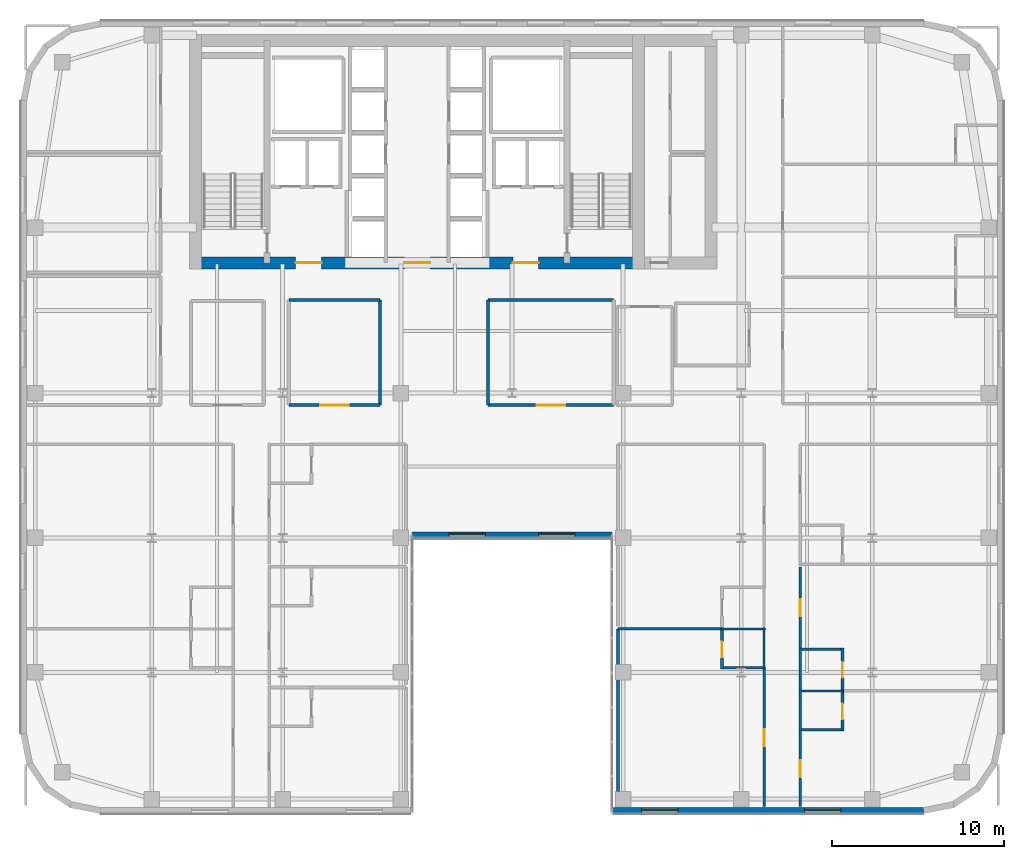
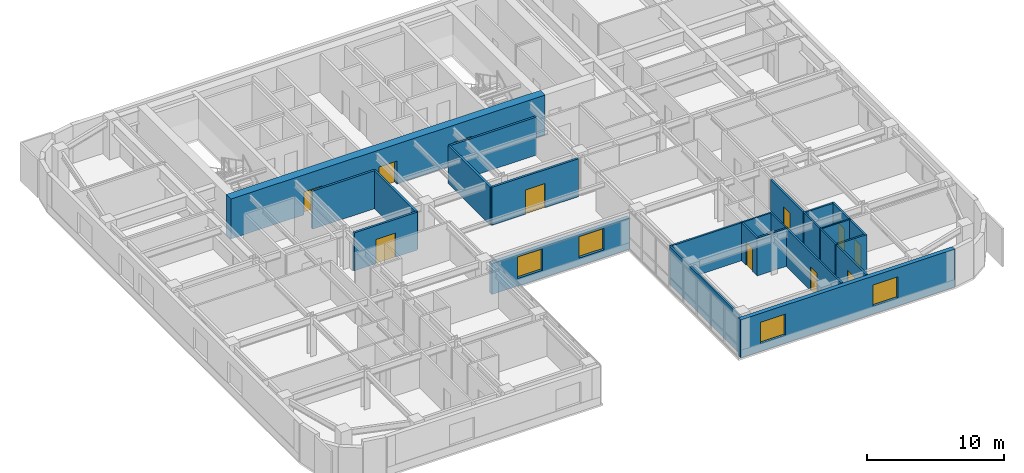
# One storey, part 15 of 24: 25 walls, 11 doors, 4 windows, 15 openings.
"""IFC4 building model written with IfcOpenShell, lengths in metres."""

from ifc_helpers import new_model, si_unit, direction, frame, frame_2d, origin, place, context, subcontext, project, spatial, rectangle, extrude, source, transform, mapped, material, layer, layer_set, type_object, type_shapes, element, fill, save


model = new_model("IFC4")

# Units and contexts
model_context = context("Model", 3, precision=1e-05, world=origin(), true_north=direction((0.0, 1.0)))
body_context = subcontext(model_context, "Body", "Model", "MODEL_VIEW")
ifc_project = project(units=[si_unit("LENGTHUNIT", "METRE"), si_unit("AREAUNIT", "SQUARE_METRE"), si_unit("VOLUMEUNIT", "CUBIC_METRE"), si_unit("PLANEANGLEUNIT", "RADIAN"), si_unit("MASSUNIT", "GRAM", prefix="KILO")], contexts=[model_context])

# Site, building, storey
site_placement = place(None, origin())
site = spatial("IfcSite", under=ifc_project, at=site_placement, CompositionType="ELEMENT")
building_placement = place(site_placement, origin())
building = spatial("IfcBuilding", under=site, at=building_placement, Name="Tolvann Quenvar Hotel", CompositionType="ELEMENT")
storey_placement = place(building_placement, frame((0.0, 0.0, 139.949951171875)))
storey = spatial("IfcBuildingStorey", under=building, at=storey_placement, Name="L36", CompositionType="ELEMENT", Elevation=139.949951171875)

# Wall, openings, doors
ifc_material_1 = material(Name="Concrete S65 (65 MPa)", Category="concrete")
ifc_layer_1 = layer(ifc_material_1, 0.699951171875)
ifc_layer_set_1 = layer_set([ifc_layer_1], Name="Concrete S65 (65 MPa)")
wall_type_1 = type_object("IfcWallType", Name="WALL_CORE_700", PredefinedType="SHEAR", material=ifc_layer_set_1)
wall_1_placement = place(storey_placement, frame((9.800048828125, 31.949951171875, 0.0), z_axis=(0.0, 0.0, 1.0), x_axis=(1.0, 0.0, 0.0)))
wall_1 = element("IfcWall", 1, at=wall_1_placement, inside=storey, type_object=wall_type_1, Name="Rear Core S Shear Wall (L36)", PredefinedType="SHEAR", context=body_context, shape_type="SweptSolid", body=[
    extrude(rectangle(XDim=26.39990234375, YDim=0.699951171875, at=frame_2d((13.199951171875, 0.0))), origin(), (0.0, 0.0, 1.0), 3.550048828125),
])
opening_1_placement = place(wall_1_placement, frame((7.64990234375, 0.0, 0.0), z_axis=(0.0, 0.0, 1.0), x_axis=(-1.0, 0.0, 0.0)))
opening_1 = element("IfcOpeningElement", 2, at=opening_1_placement, cuts=wall_1, Name="Opening FD-60D", PredefinedType="OPENING", context=body_context, shape_type="SweptSolid", body=[
    extrude(rectangle(XDim=1.5, YDim=2.0400390625, at=frame_2d((0.75, 1.02001953125))), frame((0.0, 0.35986328125, 0.0), z_axis=(0.0, -1.0, 0.0), x_axis=(1.0, 0.0, 0.0)), (0.0, 0.0, 1.0), 0.719970703125),
])
opening_2_placement = place(wall_1_placement, frame((13.949951171875, 0.0, 0.0), z_axis=(0.0, 0.0, 1.0), x_axis=(-1.0, 0.0, 0.0)))
opening_2 = element("IfcOpeningElement", 3, at=opening_2_placement, cuts=wall_1, Name="Opening FD-60D", PredefinedType="OPENING", context=body_context, shape_type="SweptSolid", body=[
    extrude(rectangle(XDim=1.5, YDim=2.0400390625, at=frame_2d((0.75, 1.02001953125))), frame((0.0, 0.35986328125, 0.0), z_axis=(0.0, -1.0, 0.0), x_axis=(1.0, 0.0, 0.0)), (0.0, 0.0, 1.0), 0.719970703125),
])
opening_3_placement = place(wall_1_placement, frame((20.25, 0.0, 0.0), z_axis=(0.0, 0.0, 1.0), x_axis=(-1.0, 0.0, 0.0)))
opening_3 = element("IfcOpeningElement", 4, at=opening_3_placement, cuts=wall_1, Name="Opening FD-60D", PredefinedType="OPENING", context=body_context, shape_type="SweptSolid", body=[
    extrude(rectangle(XDim=1.5, YDim=2.0400390625, at=frame_2d((0.75, 1.02001953125))), frame((0.0, 0.35986328125, 0.0), z_axis=(0.0, -1.0, 0.0), x_axis=(1.0, 0.0, 0.0)), (0.0, 0.0, 1.0), 0.719970703125),
])
ifc_material_2 = material(Name="Solid-core American oak acoustic fire door leaf in steel frame", Category="steel")
door_type_1 = type_object("IfcDoorType", Name="DOOR_FIRE_LOBBY_1500", OperationType="NOTDEFINED", PredefinedType="DOOR", material=ifc_material_2)
shared_shape_1 = source(origin(), body_context, "Body", "SweptSolid", [
    extrude(rectangle(XDim=1.5, YDim=2.0400390625, at=frame_2d((0.75, 1.02001953125))), frame((0.0, 0.02490234375, 0.0), z_axis=(0.0, -1.0, 0.0), x_axis=(1.0, 0.0, 0.0)), (0.0, 0.0, 1.0), 0.050048828125),
])
type_shapes(door_type_1, [shared_shape_1])
door_1_placement = place(opening_1_placement, origin())
door_1 = element("IfcDoor", 5, at=door_1_placement, inside=storey, type_object=door_type_1, Name="Core Lobby Fire Door FFW (L36)", OperationType="DOUBLE_DOOR_SINGLE_SWING", OverallHeight=2.0400390625, OverallWidth=1.5, PredefinedType="DOOR", context=body_context, shape_type="MappedRepresentation", body=[
    mapped(shared_shape_1, transform((0.0, 0.0, 0.0), x_axis=(1.0, 0.0, 0.0), y_axis=(0.0, 1.0, 0.0), z_axis=(0.0, 0.0, 1.0), scale=1.0)),
])
fill(opening_1, door_1)
door_2_placement = place(opening_2_placement, origin())
door_2 = element("IfcDoor", 6, at=door_2_placement, inside=storey, type_object=door_type_1, Name="Core Lobby Fire Door CLOB (L36)", OperationType="DOUBLE_DOOR_SINGLE_SWING", OverallHeight=2.0400390625, OverallWidth=1.5, PredefinedType="DOOR", context=body_context, shape_type="MappedRepresentation", body=[
    mapped(shared_shape_1, transform((0.0, 0.0, 0.0), x_axis=(1.0, 0.0, 0.0), y_axis=(0.0, 1.0, 0.0), z_axis=(0.0, 0.0, 1.0), scale=1.0)),
])
fill(opening_2, door_2)
door_3_placement = place(opening_3_placement, origin())
door_3 = element("IfcDoor", 7, at=door_3_placement, inside=storey, type_object=door_type_1, Name="Core Lobby Fire Door FFE (L36)", OperationType="DOUBLE_DOOR_SINGLE_SWING", OverallHeight=2.0400390625, OverallWidth=1.5, PredefinedType="DOOR", context=body_context, shape_type="MappedRepresentation", body=[
    mapped(shared_shape_1, transform((0.0, 0.0, 0.0), x_axis=(1.0, 0.0, 0.0), y_axis=(0.0, 1.0, 0.0), z_axis=(0.0, 0.0, 1.0), scale=1.0)),
])
fill(opening_3, door_3)

# Wall, openings, windows
ifc_material_3 = material(Name="Kiln-fired red and buff architectural clay brickwork and terracotta masonry", Category="masonry")
ifc_layer_2 = layer(ifc_material_3, 0.35009765625)
ifc_layer_set_2 = layer_set([ifc_layer_2], Name="Kiln-fired red and buff architectural clay brickwork and terracotta masonry")
wall_type_2 = type_object("IfcWallType", Name="WALL_EXT_BRICK_350", PredefinedType="SOLIDWALL", material=ifc_layer_set_2)
wall_2_placement = place(storey_placement, frame((22.7099609375, 16.175048828125, 0.0), z_axis=(0.0, 0.0, 1.0), x_axis=(1.0, 0.0, 0.0)))
wall_2 = element("IfcWall", 8, at=wall_2_placement, inside=storey, type_object=wall_type_2, Name="Exterior Chicago Brick Wall L36-E06", PredefinedType="SOLIDWALL", context=body_context, shape_type="SweptSolid", body=[
    extrude(rectangle(XDim=11.580078125, YDim=0.35009765625, at=frame_2d((5.7900390625, 0.0))), origin(), (0.0, 0.0, 1.0), 2.748046875),
])
opening_4_placement = place(wall_2_placement, frame((2.14501953125, 0.0, 0.679931640625)))
opening_4 = element("IfcOpeningElement", 9, at=opening_4_placement, cuts=wall_2, Name="Opening W-02", PredefinedType="OPENING", context=body_context, shape_type="SweptSolid", body=[
    extrude(rectangle(XDim=2.10009765625, YDim=1.89990234375, at=frame_2d((1.050048828125, 0.949951171875))), frame((0.0, 0.18505859375, 0.0), z_axis=(0.0, -1.0, 0.0), x_axis=(1.0, 0.0, 0.0)), (0.0, 0.0, 1.0), 0.3701171875),
])
opening_5_placement = place(wall_2_placement, frame((7.3349609375, 0.0, 0.679931640625)))
opening_5 = element("IfcOpeningElement", 10, at=opening_5_placement, cuts=wall_2, Name="Opening W-02", PredefinedType="OPENING", context=body_context, shape_type="SweptSolid", body=[
    extrude(rectangle(XDim=2.10009765625, YDim=1.89990234375, at=frame_2d((1.050048828125, 0.949951171875))), frame((0.0, 0.18505859375, 0.0), z_axis=(0.0, -1.0, 0.0), x_axis=(1.0, 0.0, 0.0)), (0.0, 0.0, 1.0), 0.3701171875),
])
ifc_material_4 = material(Name="Thermally broken bronze-anodised aluminium frame with double low-E glazing", Category="aluminium")
window_type = type_object("IfcWindowType", Name="WIN_CHI_2100x2050", PartitioningType="TRIPLE_PANEL_HORIZONTAL", PredefinedType="WINDOW", material=ifc_material_4)
shared_shape_2 = source(origin(), body_context, "Body", "SweptSolid", [
    extrude(rectangle(XDim=2.10009765625, YDim=1.89990234375, at=frame_2d((1.050048828125, 0.949951171875))), frame((0.0, 0.090087890625, 0.0), z_axis=(0.0, -1.0, 0.0), x_axis=(1.0, 0.0, 0.0)), (0.0, 0.0, 1.0), 0.06005859375),
])
type_shapes(window_type, [shared_shape_2])
window_1_placement = place(opening_4_placement, origin())
window_1 = element("IfcWindow", 11, at=window_1_placement, inside=storey, type_object=window_type, Name="Chicago Window W-02 (EW-L36-E06-W01)", OverallHeight=1.89990234375, OverallWidth=2.10009765625, PartitioningType="TRIPLE_PANEL_HORIZONTAL", PredefinedType="WINDOW", context=body_context, shape_type="MappedRepresentation", body=[
    mapped(shared_shape_2, transform((0.0, 0.0, 0.0), x_axis=(1.0, 0.0, 0.0), y_axis=(0.0, 1.0, 0.0), z_axis=(0.0, 0.0, 1.0), scale=1.0)),
])
fill(opening_4, window_1)
window_2_placement = place(opening_5_placement, origin())
window_2 = element("IfcWindow", 12, at=window_2_placement, inside=storey, type_object=window_type, Name="Chicago Window W-02 (EW-L36-E06-W02)", OverallHeight=1.89990234375, OverallWidth=2.10009765625, PartitioningType="TRIPLE_PANEL_HORIZONTAL", PredefinedType="WINDOW", context=body_context, shape_type="MappedRepresentation", body=[
    mapped(shared_shape_2, transform((0.0, 0.0, 0.0), x_axis=(1.0, 0.0, 0.0), y_axis=(0.0, 1.0, 0.0), z_axis=(0.0, 0.0, 1.0), scale=1.0)),
])
fill(opening_5, window_2)

wall_3_placement = place(storey_placement, frame((34.375, 0.175048828125, 0.0), z_axis=(0.0, 0.0, 1.0), x_axis=(1.0, 0.0, 0.0)))
wall_3 = element("IfcWall", 13, at=wall_3_placement, inside=storey, type_object=wall_type_2, Name="Exterior Chicago Brick Wall L36-E08", PredefinedType="SOLIDWALL", context=body_context, shape_type="SweptSolid", body=[
    extrude(rectangle(XDim=18.0078125, YDim=0.35009765625, at=frame_2d((9.00390625, 0.0))), origin(), (0.0, 0.0, 1.0), 3.3701171875),
])
opening_6_placement = place(wall_3_placement, frame((1.65087890625, 0.0, 0.679931640625)))
opening_6 = element("IfcOpeningElement", 14, at=opening_6_placement, cuts=wall_3, Name="Opening W-02", PredefinedType="OPENING", context=body_context, shape_type="SweptSolid", body=[
    extrude(rectangle(XDim=2.10009765625, YDim=1.89990234375, at=frame_2d((1.050048828125, 0.949951171875))), frame((0.0, 0.18505859375, 0.0), z_axis=(0.0, -1.0, 0.0), x_axis=(1.0, 0.0, 0.0)), (0.0, 0.0, 1.0), 0.3701171875),
])
opening_7_placement = place(wall_3_placement, frame((11.10498046875, 0.0, 0.679931640625)))
opening_7 = element("IfcOpeningElement", 15, at=opening_7_placement, cuts=wall_3, Name="Opening W-02", PredefinedType="OPENING", context=body_context, shape_type="SweptSolid", body=[
    extrude(rectangle(XDim=2.10009765625, YDim=1.89990234375, at=frame_2d((1.050048828125, 0.949951171875))), frame((0.0, 0.18505859375, 0.0), z_axis=(0.0, -1.0, 0.0), x_axis=(1.0, 0.0, 0.0)), (0.0, 0.0, 1.0), 0.3701171875),
])
window_3_placement = place(opening_6_placement, origin())
window_3 = element("IfcWindow", 16, at=window_3_placement, inside=storey, type_object=window_type, Name="Chicago Window W-02 (EW-L36-E08-W01)", OverallHeight=1.89990234375, OverallWidth=2.10009765625, PartitioningType="TRIPLE_PANEL_HORIZONTAL", PredefinedType="WINDOW", context=body_context, shape_type="MappedRepresentation", body=[
    mapped(shared_shape_2, transform((0.0, 0.0, 0.0), x_axis=(1.0, 0.0, 0.0), y_axis=(0.0, 1.0, 0.0), z_axis=(0.0, 0.0, 1.0), scale=1.0)),
])
fill(opening_6, window_3)
window_4_placement = place(opening_7_placement, origin())
window_4 = element("IfcWindow", 17, at=window_4_placement, inside=storey, type_object=window_type, Name="Chicago Window W-02 (EW-L36-E08-W02)", OverallHeight=1.89990234375, OverallWidth=2.10009765625, PartitioningType="TRIPLE_PANEL_HORIZONTAL", PredefinedType="WINDOW", context=body_context, shape_type="MappedRepresentation", body=[
    mapped(shared_shape_2, transform((0.0, 0.0, 0.0), x_axis=(1.0, 0.0, 0.0), y_axis=(0.0, 1.0, 0.0), z_axis=(0.0, 0.0, 1.0), scale=1.0)),
])
fill(opening_7, window_4)

# Wall, opening, door
ifc_material_5 = material(Name="Acoustic twin-stud fire-rated gypsum plasterboard partition")
ifc_layer_3 = layer(ifc_material_5, 0.179931640625)
ifc_layer_set_3 = layer_set([ifc_layer_3], Name="Acoustic twin-stud fire-rated gypsum plasterboard partition")
wall_type_3 = type_object("IfcWallType", Name="WALL_PART_ACOUSTIC_180", PredefinedType="PARTITIONING", material=ifc_layer_set_3)
wall_4_placement = place(storey_placement, frame((27.10009765625, 23.699951171875, 0.0), z_axis=(0.0, 0.0, 1.0), x_axis=(1.0, 0.0, 0.0)))
wall_4 = element("IfcWall", 18, at=wall_4_placement, inside=storey, type_object=wall_type_3, Name="Interior Partition PT-SPC-L36-MSP-C-S", PredefinedType="PARTITIONING", context=body_context, shape_type="SweptSolid", body=[
    extrude(rectangle(XDim=7.2998046875, YDim=0.179931640625, at=frame_2d((3.64990234375, 0.0))), origin(), (0.0, 0.0, 1.0), 3.3701171875),
])
opening_8_placement = place(wall_4_placement, frame((2.824951171875, 0.0, 0.0)))
opening_8 = element("IfcOpeningElement", 19, at=opening_8_placement, cuts=wall_4, Name="Opening AD-01", PredefinedType="OPENING", context=body_context, shape_type="SweptSolid", body=[
    extrude(rectangle(XDim=1.64990234375, YDim=2.14990234375, at=frame_2d((0.824951171875, 1.074951171875))), frame((0.0, 0.10009765625, 0.0), z_axis=(0.0, -1.0, 0.0), x_axis=(1.0, 0.0, 0.0)), (0.0, 0.0, 1.0), 0.199951171875),
])
door_type_2 = type_object("IfcDoorType", Name="DOOR_SALON_1650", OperationType="NOTDEFINED", PredefinedType="DOOR", material=ifc_material_2)
shared_shape_3 = source(origin(), body_context, "Body", "SweptSolid", [
    extrude(rectangle(XDim=1.64990234375, YDim=2.14990234375, at=frame_2d((0.824951171875, 1.074951171875))), frame((0.0, 0.02490234375, 0.0), z_axis=(0.0, -1.0, 0.0), x_axis=(1.0, 0.0, 0.0)), (0.0, 0.0, 1.0), 0.050048828125),
])
type_shapes(door_type_2, [shared_shape_3])
door_4_placement = place(opening_8_placement, origin())
door_4 = element("IfcDoor", 20, at=door_4_placement, inside=storey, type_object=door_type_2, Name="Interior Door DOOR-SPC-L36-MSP-C", OperationType="DOUBLE_DOOR_SINGLE_SWING", OverallHeight=2.14990234375, OverallWidth=1.64990234375, PredefinedType="DOOR", context=body_context, shape_type="MappedRepresentation", body=[
    mapped(shared_shape_3, transform((0.0, 0.0, 0.0), x_axis=(1.0, 0.0, 0.0), y_axis=(0.0, 1.0, 0.0), z_axis=(0.0, 0.0, 1.0), scale=1.0)),
])
fill(opening_8, door_4)

# Walls
wall_5_placement = place(storey_placement, frame((27.10009765625, 29.800048828125, 0.0), z_axis=(0.0, 0.0, 1.0), x_axis=(1.0, 0.0, 0.0)))
element("IfcWall", 21, at=wall_5_placement, inside=storey, type_object=wall_type_3, Name="Interior Partition PT-SPC-L36-MSP-C-N", PredefinedType="PARTITIONING", context=body_context, shape_type="SweptSolid", body=[
    extrude(rectangle(XDim=7.2998046875, YDim=0.179931640625, at=frame_2d((3.64990234375, 0.0))), origin(), (0.0, 0.0, 1.0), 3.3701171875),
])
wall_6_placement = place(storey_placement, frame((27.10009765625, 23.699951171875, 0.0), z_axis=(0.0, 0.0, 1.0), x_axis=(0.0, 1.0, 0.0)))
element("IfcWall", 22, at=wall_6_placement, inside=storey, type_object=wall_type_3, Name="Interior Partition PT-SPC-L36-MSP-C-W", PredefinedType="PARTITIONING", context=body_context, shape_type="SweptSolid", body=[
    extrude(rectangle(XDim=6.10009765625, YDim=0.179931640625, at=frame_2d((3.050048828125, 0.0))), origin(), (0.0, 0.0, 1.0), 3.3701171875),
])

# Wall, opening, door
wall_7_placement = place(storey_placement, frame((15.550048828125, 23.699951171875, 0.0), z_axis=(0.0, 0.0, 1.0), x_axis=(1.0, 0.0, 0.0)))
wall_7 = element("IfcWall", 23, at=wall_7_placement, inside=storey, type_object=wall_type_3, Name="Interior Partition PT-SPC-L36-MSP-N-S", PredefinedType="PARTITIONING", context=body_context, shape_type="SweptSolid", body=[
    extrude(rectangle(XDim=5.300048828125, YDim=0.179931640625, at=frame_2d((2.64990234375, 0.0))), origin(), (0.0, 0.0, 1.0), 3.3701171875),
])
opening_9_placement = place(wall_7_placement, frame((1.824951171875, 0.0, 0.0)))
opening_9 = element("IfcOpeningElement", 24, at=opening_9_placement, cuts=wall_7, Name="Opening AD-01", PredefinedType="OPENING", context=body_context, shape_type="SweptSolid", body=[
    extrude(rectangle(XDim=1.64990234375, YDim=2.14990234375, at=frame_2d((0.824951171875, 1.074951171875))), frame((0.0, 0.10009765625, 0.0), z_axis=(0.0, -1.0, 0.0), x_axis=(1.0, 0.0, 0.0)), (0.0, 0.0, 1.0), 0.199951171875),
])
door_5_placement = place(opening_9_placement, origin())
door_5 = element("IfcDoor", 25, at=door_5_placement, inside=storey, type_object=door_type_2, Name="Interior Door DOOR-SPC-L36-MSP-N", OperationType="DOUBLE_DOOR_SINGLE_SWING", OverallHeight=2.14990234375, OverallWidth=1.64990234375, PredefinedType="DOOR", context=body_context, shape_type="MappedRepresentation", body=[
    mapped(shared_shape_3, transform((0.0, 0.0, 0.0), x_axis=(1.0, 0.0, 0.0), y_axis=(0.0, 1.0, 0.0), z_axis=(0.0, 0.0, 1.0), scale=1.0)),
])
fill(opening_9, door_5)

# Walls
wall_8_placement = place(storey_placement, frame((15.550048828125, 29.800048828125, 0.0), z_axis=(0.0, 0.0, 1.0), x_axis=(1.0, 0.0, 0.0)))
element("IfcWall", 26, at=wall_8_placement, inside=storey, type_object=wall_type_3, Name="Interior Partition PT-SPC-L36-MSP-N-N", PredefinedType="PARTITIONING", context=body_context, shape_type="SweptSolid", body=[
    extrude(rectangle(XDim=5.300048828125, YDim=0.179931640625, at=frame_2d((2.64990234375, 0.0))), origin(), (0.0, 0.0, 1.0), 3.3701171875),
])
wall_9_placement = place(storey_placement, frame((20.85009765625, 23.699951171875, 0.0), z_axis=(0.0, 0.0, 1.0), x_axis=(0.0, 1.0, 0.0)))
element("IfcWall", 27, at=wall_9_placement, inside=storey, type_object=wall_type_3, Name="Interior Partition PT-SPC-L36-MSP-N-E", PredefinedType="PARTITIONING", context=body_context, shape_type="SweptSolid", body=[
    extrude(rectangle(XDim=6.10009765625, YDim=0.179931640625, at=frame_2d((3.050048828125, 0.0))), origin(), (0.0, 0.0, 1.0), 3.3701171875),
])
ifc_material_6 = material(Name="Moisture-resistant acoustic plumbing wall assembly")
ifc_layer_4 = layer(ifc_material_6, 0.1201171875)
ifc_layer_set_4 = layer_set([ifc_layer_4], Name="Moisture-resistant acoustic plumbing wall assembly")
wall_type_4 = type_object("IfcWallType", Name="WALL_PART_BATH_120", PredefinedType="PLUMBINGWALL", material=ifc_layer_set_4)
wall_10_placement = place(storey_placement, frame((40.610107421875, 10.719970703125, 0.0), z_axis=(0.0, 0.0, 1.0), x_axis=(1.0, 0.0, 0.0)))
element("IfcWall", 28, at=wall_10_placement, inside=storey, type_object=wall_type_4, Name="Non-Rated Plumbing Partition PT-SPC-L36-ENS-EI01-N", PredefinedType="PLUMBINGWALL", context=body_context, shape_type="SweptSolid", body=[
    extrude(rectangle(XDim=2.58984375, YDim=0.1201171875, at=frame_2d((1.294921875, 0.0))), origin(), (0.0, 0.0, 1.0), 3.3701171875),
])
wall_11_placement = place(storey_placement, frame((43.1298828125, 8.39990234375, 0.0), z_axis=(0.0, 0.0, 1.0), x_axis=(0.0, 1.0, 0.0)))
element("IfcWall", 29, at=wall_11_placement, inside=storey, type_object=wall_type_4, Name="Non-Rated Plumbing Partition PT-SPC-L36-ENS-EI01-E", PredefinedType="PLUMBINGWALL", context=body_context, shape_type="SweptSolid", body=[
    extrude(rectangle(XDim=2.39013671875, YDim=0.1201171875, at=frame_2d((1.195068359375, 0.0))), origin(), (0.0, 0.0, 1.0), 3.3701171875),
])
wall_12_placement = place(storey_placement, frame((45.14990234375, 7.1201171875, 0.0), z_axis=(0.0, 0.0, 1.0), x_axis=(1.0, 0.0, 0.0)))
element("IfcWall", 30, at=wall_12_placement, inside=storey, type_object=wall_type_4, Name="Non-Rated Plumbing Partition PT-SPC-L36-ENS-EO01-N", PredefinedType="PLUMBINGWALL", context=body_context, shape_type="SweptSolid", body=[
    extrude(rectangle(XDim=2.590087890625, YDim=0.1201171875, at=frame_2d((1.294921875, 0.0))), origin(), (0.0, 0.0, 1.0), 3.3701171875),
])
wall_13_placement = place(storey_placement, frame((45.219970703125, 4.800048828125, 0.0), z_axis=(0.0, 0.0, 1.0), x_axis=(0.0, 1.0, 0.0)))
element("IfcWall", 31, at=wall_13_placement, inside=storey, type_object=wall_type_4, Name="Non-Rated Plumbing Partition PT-SPC-L36-ENS-EO01-W", PredefinedType="PLUMBINGWALL", context=body_context, shape_type="SweptSolid", body=[
    extrude(rectangle(XDim=2.389892578125, YDim=0.1201171875, at=frame_2d((1.19482421875, 0.0))), origin(), (0.0, 0.0, 1.0), 3.3701171875),
])
wall_14_placement = place(storey_placement, frame((45.219970703125, 7.2099609375, 0.0), z_axis=(0.0, 0.0, 1.0), x_axis=(0.0, 1.0, 0.0)))
element("IfcWall", 32, at=wall_14_placement, inside=storey, type_object=wall_type_4, Name="Non-Rated Plumbing Partition PT-SPC-L36-ENS-EO02-W", PredefinedType="PLUMBINGWALL", context=body_context, shape_type="SweptSolid", body=[
    extrude(rectangle(XDim=2.39013671875, YDim=0.1201171875, at=frame_2d((1.195068359375, 0.0))), origin(), (0.0, 0.0, 1.0), 3.3701171875),
])

# Wall, opening, door
ifc_layer_5 = layer(ifc_material_5, 0.14990234375)
ifc_layer_set_5 = layer_set([ifc_layer_5], Name="Acoustic twin-stud fire-rated gypsum plasterboard partition")
wall_type_5 = type_object("IfcWallType", Name="WALL_PART_SUITE_150", PredefinedType="PARTITIONING", material=ifc_layer_set_5)
wall_15_placement = place(storey_placement, frame((40.679931640625, 8.39990234375, 0.0), z_axis=(0.0, 0.0, 1.0), x_axis=(0.0, 1.0, 0.0)))
wall_15 = element("IfcWall", 33, at=wall_15_placement, inside=storey, type_object=wall_type_5, Name="Interior Partition PT-SPC-L36-ENS-EI01-ENT", PredefinedType="PARTITIONING", context=body_context, shape_type="SweptSolid", body=[
    extrude(rectangle(XDim=2.39013671875, YDim=0.14990234375, at=frame_2d((1.195068359375, 0.0))), origin(), (0.0, 0.0, 1.0), 3.3701171875),
])
opening_10_placement = place(wall_15_placement, frame((0.6650390625, 0.0, 0.0)))
opening_10 = element("IfcOpeningElement", 34, at=opening_10_placement, cuts=wall_15, Name="Opening WD-01", PredefinedType="OPENING", context=body_context, shape_type="SweptSolid", body=[
    extrude(rectangle(XDim=0.919921875, YDim=2.010009765625, at=frame_2d((0.4599609375, 1.0048828125))), frame((0.0, 0.0849609375, 0.0), z_axis=(0.0, -1.0, 0.0), x_axis=(1.0, 0.0, 0.0)), (0.0, 0.0, 1.0), 0.169921875),
])
door_type_3 = type_object("IfcDoorType", Name="DOOR_WC_920", OperationType="NOTDEFINED", PredefinedType="DOOR", material=ifc_material_2)
shared_shape_4 = source(origin(), body_context, "Body", "SweptSolid", [
    extrude(rectangle(XDim=0.919921875, YDim=2.010009765625, at=frame_2d((0.4599609375, 1.0048828125))), frame((0.0, 0.02490234375, 0.0), z_axis=(0.0, -1.0, 0.0), x_axis=(1.0, 0.0, 0.0)), (0.0, 0.0, 1.0), 0.050048828125),
])
type_shapes(door_type_3, [shared_shape_4])
door_6_placement = place(opening_10_placement, origin())
door_6 = element("IfcDoor", 35, at=door_6_placement, inside=storey, type_object=door_type_3, Name="Interior Door DOOR-SPC-L36-ENS-EI01", OperationType="SINGLE_SWING_LEFT", OverallHeight=2.010009765625, OverallWidth=0.919921875, PredefinedType="DOOR", context=body_context, shape_type="MappedRepresentation", body=[
    mapped(shared_shape_4, transform((0.0, 0.0, 0.0), x_axis=(1.0, 0.0, 0.0), y_axis=(0.0, 1.0, 0.0), z_axis=(0.0, 0.0, 1.0), scale=1.0)),
])
fill(opening_10, door_6)

# Wall
wall_16_placement = place(storey_placement, frame((40.610107421875, 8.469970703125, 0.0), z_axis=(0.0, 0.0, 1.0), x_axis=(1.0, 0.0, 0.0)))
element("IfcWall", 36, at=wall_16_placement, inside=storey, type_object=wall_type_5, Name="Interior Partition PT-SPC-L36-ENS-EI01-S", PredefinedType="PARTITIONING", context=body_context, shape_type="SweptSolid", body=[
    extrude(rectangle(XDim=2.58984375, YDim=0.14990234375, at=frame_2d((1.294921875, 0.0))), origin(), (0.0, 0.0, 1.0), 3.3701171875),
])

# Wall, opening, door
wall_17_placement = place(storey_placement, frame((47.669921875, 4.800048828125, 0.0), z_axis=(0.0, 0.0, 1.0), x_axis=(0.0, 1.0, 0.0)))
wall_17 = element("IfcWall", 37, at=wall_17_placement, inside=storey, type_object=wall_type_5, Name="Interior Partition PT-SPC-L36-ENS-EO01-ENT", PredefinedType="PARTITIONING", context=body_context, shape_type="SweptSolid", body=[
    extrude(rectangle(XDim=2.389892578125, YDim=0.14990234375, at=frame_2d((1.19482421875, 0.0))), origin(), (0.0, 0.0, 1.0), 3.3701171875),
])
opening_11_placement = place(wall_17_placement, frame((0.6650390625, 0.0, 0.0)))
opening_11 = element("IfcOpeningElement", 38, at=opening_11_placement, cuts=wall_17, Name="Opening WD-01", PredefinedType="OPENING", context=body_context, shape_type="SweptSolid", body=[
    extrude(rectangle(XDim=0.919921875, YDim=2.010009765625, at=frame_2d((0.4599609375, 1.0048828125))), frame((0.0, 0.0849609375, 0.0), z_axis=(0.0, -1.0, 0.0), x_axis=(1.0, 0.0, 0.0)), (0.0, 0.0, 1.0), 0.169921875),
])
door_7_placement = place(opening_11_placement, origin())
door_7 = element("IfcDoor", 39, at=door_7_placement, inside=storey, type_object=door_type_3, Name="Interior Door DOOR-SPC-L36-ENS-EO01", OperationType="SINGLE_SWING_LEFT", OverallHeight=2.010009765625, OverallWidth=0.919921875, PredefinedType="DOOR", context=body_context, shape_type="MappedRepresentation", body=[
    mapped(shared_shape_4, transform((0.0, 0.0, 0.0), x_axis=(1.0, 0.0, 0.0), y_axis=(0.0, 1.0, 0.0), z_axis=(0.0, 0.0, 1.0), scale=1.0)),
])
fill(opening_11, door_7)

# Wall
wall_18_placement = place(storey_placement, frame((45.14990234375, 4.8701171875, 0.0), z_axis=(0.0, 0.0, 1.0), x_axis=(1.0, 0.0, 0.0)))
element("IfcWall", 40, at=wall_18_placement, inside=storey, type_object=wall_type_5, Name="Interior Partition PT-SPC-L36-ENS-EO01-S", PredefinedType="PARTITIONING", context=body_context, shape_type="SweptSolid", body=[
    extrude(rectangle(XDim=2.590087890625, YDim=0.14990234375, at=frame_2d((1.294921875, 0.0))), origin(), (0.0, 0.0, 1.0), 3.3701171875),
])

# Wall, opening, door
wall_19_placement = place(storey_placement, frame((47.669921875, 7.2099609375, 0.0), z_axis=(0.0, 0.0, 1.0), x_axis=(0.0, 1.0, 0.0)))
wall_19 = element("IfcWall", 41, at=wall_19_placement, inside=storey, type_object=wall_type_5, Name="Interior Partition PT-SPC-L36-ENS-EO02-ENT", PredefinedType="PARTITIONING", context=body_context, shape_type="SweptSolid", body=[
    extrude(rectangle(XDim=2.39013671875, YDim=0.14990234375, at=frame_2d((1.195068359375, 0.0))), origin(), (0.0, 0.0, 1.0), 3.3701171875),
])
opening_12_placement = place(wall_19_placement, frame((0.6650390625, 0.0, 0.0)))
opening_12 = element("IfcOpeningElement", 42, at=opening_12_placement, cuts=wall_19, Name="Opening WD-01", PredefinedType="OPENING", context=body_context, shape_type="SweptSolid", body=[
    extrude(rectangle(XDim=0.919921875, YDim=2.010009765625, at=frame_2d((0.4599609375, 1.0048828125))), frame((0.0, 0.0849609375, 0.0), z_axis=(0.0, -1.0, 0.0), x_axis=(1.0, 0.0, 0.0)), (0.0, 0.0, 1.0), 0.169921875),
])
door_8_placement = place(opening_12_placement, origin())
door_8 = element("IfcDoor", 43, at=door_8_placement, inside=storey, type_object=door_type_3, Name="Interior Door DOOR-SPC-L36-ENS-EO02", OperationType="SINGLE_SWING_RIGHT", OverallHeight=2.010009765625, OverallWidth=0.919921875, PredefinedType="DOOR", context=body_context, shape_type="MappedRepresentation", body=[
    mapped(shared_shape_4, transform((0.0, 0.0, 0.0), x_axis=(1.0, 0.0, 0.0), y_axis=(0.0, 1.0, 0.0), z_axis=(0.0, 0.0, 1.0), scale=1.0)),
])
fill(opening_12, door_8)

# Wall
wall_20_placement = place(storey_placement, frame((45.14990234375, 9.530029296875, 0.0), z_axis=(0.0, 0.0, 1.0), x_axis=(1.0, 0.0, 0.0)))
element("IfcWall", 44, at=wall_20_placement, inside=storey, type_object=wall_type_5, Name="Interior Partition PT-SPC-L36-ENS-EO02-N", PredefinedType="PARTITIONING", context=body_context, shape_type="SweptSolid", body=[
    extrude(rectangle(XDim=2.590087890625, YDim=0.14990234375, at=frame_2d((1.294921875, 0.0))), origin(), (0.0, 0.0, 1.0), 3.3701171875),
])

# Wall, opening, door
wall_21_placement = place(storey_placement, frame((43.1298828125, 0.405029296875, 0.0), z_axis=(0.0, 0.0, 1.0), x_axis=(0.0, 1.0, 0.0)))
wall_21 = element("IfcWall", 45, at=wall_21_placement, inside=storey, type_object=wall_type_5, Name="Interior Partition PT-SPC-L36-RM-EI01-ENT", PredefinedType="PARTITIONING", context=body_context, shape_type="SweptSolid", body=[
    extrude(rectangle(XDim=7.98486328125, YDim=0.14990234375, at=frame_2d((3.992431640625, 0.0))), origin(), (0.0, 0.0, 1.0), 3.3701171875),
])
opening_13_placement = place(wall_21_placement, frame((3.510009765625, 0.0, 0.0)))
opening_13 = element("IfcOpeningElement", 46, at=opening_13_placement, cuts=wall_21, Name="Opening SD-01", PredefinedType="OPENING", context=body_context, shape_type="SweptSolid", body=[
    extrude(rectangle(XDim=0.97998046875, YDim=2.1201171875, at=frame_2d((0.489990234375, 1.06005859375))), frame((0.0, 0.0849609375, 0.0), z_axis=(0.0, -1.0, 0.0), x_axis=(1.0, 0.0, 0.0)), (0.0, 0.0, 1.0), 0.169921875),
])
door_type_4 = type_object("IfcDoorType", Name="DOOR_SUITE_980", OperationType="NOTDEFINED", PredefinedType="DOOR", material=ifc_material_2)
shared_shape_5 = source(origin(), body_context, "Body", "SweptSolid", [
    extrude(rectangle(XDim=0.97998046875, YDim=2.1201171875, at=frame_2d((0.489990234375, 1.06005859375))), frame((0.0, 0.02490234375, 0.0), z_axis=(0.0, -1.0, 0.0), x_axis=(1.0, 0.0, 0.0)), (0.0, 0.0, 1.0), 0.050048828125),
])
type_shapes(door_type_4, [shared_shape_5])
door_9_placement = place(opening_13_placement, origin())
door_9 = element("IfcDoor", 47, at=door_9_placement, inside=storey, type_object=door_type_4, Name="Interior Door DOOR-SPC-L36-RM-EI01", OperationType="SINGLE_SWING_RIGHT", OverallHeight=2.1201171875, OverallWidth=0.97998046875, PredefinedType="DOOR", context=body_context, shape_type="MappedRepresentation", body=[
    mapped(shared_shape_5, transform((0.0, 0.0, 0.0), x_axis=(1.0, 0.0, 0.0), y_axis=(0.0, 1.0, 0.0), z_axis=(0.0, 0.0, 1.0), scale=1.0)),
])
fill(opening_13, door_9)

# Walls
wall_22_placement = place(storey_placement, frame((34.64990234375, 10.719970703125, 0.0), z_axis=(0.0, 0.0, 1.0), x_axis=(1.0, 0.0, 0.0)))
element("IfcWall", 48, at=wall_22_placement, inside=storey, type_object=wall_type_5, Name="Interior Partition PT-SPC-L36-RM-EI01-E5", PredefinedType="PARTITIONING", context=body_context, shape_type="SweptSolid", body=[
    extrude(rectangle(XDim=6.010009765625, YDim=0.14990234375, at=frame_2d((3.0048828125, 0.0))), origin(), (0.0, 0.0, 1.0), 3.3701171875),
])
wall_23_placement = place(storey_placement, frame((34.64990234375, 0.405029296875, 0.0), z_axis=(0.0, 0.0, 1.0), x_axis=(0.0, 1.0, 0.0)))
element("IfcWall", 49, at=wall_23_placement, inside=storey, type_object=wall_type_5, Name="Interior Partition PT-SPC-L36-RM-EI01-E6", PredefinedType="PARTITIONING", context=body_context, shape_type="SweptSolid", body=[
    extrude(rectangle(XDim=10.31494140625, YDim=0.14990234375, at=frame_2d((5.157470703125, 0.0))), origin(), (0.0, 0.0, 1.0), 3.3701171875),
])

# Wall, opening, door
wall_24_placement = place(storey_placement, frame((45.219970703125, 0.405029296875, 0.0), z_axis=(0.0, 0.0, 1.0), x_axis=(0.0, 1.0, 0.0)))
wall_24 = element("IfcWall", 50, at=wall_24_placement, inside=storey, type_object=wall_type_5, Name="Interior Partition PT-SPC-L36-RM-EO01-ENT", PredefinedType="PARTITIONING", context=body_context, shape_type="SweptSolid", body=[
    extrude(rectangle(XDim=4.385009765625, YDim=0.14990234375, at=frame_2d((2.1923828125, 0.0))), origin(), (0.0, 0.0, 1.0), 3.3701171875),
])
opening_14_placement = place(wall_24_placement, frame((1.7099609375, 0.0, 0.0)))
opening_14 = element("IfcOpeningElement", 51, at=opening_14_placement, cuts=wall_24, Name="Opening SD-01", PredefinedType="OPENING", context=body_context, shape_type="SweptSolid", body=[
    extrude(rectangle(XDim=0.97998046875, YDim=2.1201171875, at=frame_2d((0.489990234375, 1.06005859375))), frame((0.0, 0.0849609375, 0.0), z_axis=(0.0, -1.0, 0.0), x_axis=(1.0, 0.0, 0.0)), (0.0, 0.0, 1.0), 0.169921875),
])
door_10_placement = place(opening_14_placement, origin())
door_10 = element("IfcDoor", 52, at=door_10_placement, inside=storey, type_object=door_type_4, Name="Interior Door DOOR-SPC-L36-RM-EO01", OperationType="SINGLE_SWING_RIGHT", OverallHeight=2.1201171875, OverallWidth=0.97998046875, PredefinedType="DOOR", context=body_context, shape_type="MappedRepresentation", body=[
    mapped(shared_shape_5, transform((0.0, 0.0, 0.0), x_axis=(1.0, 0.0, 0.0), y_axis=(0.0, 1.0, 0.0), z_axis=(0.0, 0.0, 1.0), scale=1.0)),
])
fill(opening_14, door_10)

wall_25_placement = place(storey_placement, frame((45.219970703125, 9.610107421875, 0.0), z_axis=(0.0, 0.0, 1.0), x_axis=(0.0, 1.0, 0.0)))
wall_25 = element("IfcWall", 53, at=wall_25_placement, inside=storey, type_object=wall_type_5, Name="Interior Partition PT-SPC-L36-RM-EO02-ENT", PredefinedType="PARTITIONING", context=body_context, shape_type="SweptSolid", body=[
    extrude(rectangle(XDim=4.7099609375, YDim=0.14990234375, at=frame_2d((2.35498046875, 0.0))), origin(), (0.0, 0.0, 1.0), 3.3701171875),
])
opening_15_placement = place(wall_25_placement, frame((1.844970703125, 0.0, 0.0)))
opening_15 = element("IfcOpeningElement", 54, at=opening_15_placement, cuts=wall_25, Name="Opening SD-01", PredefinedType="OPENING", context=body_context, shape_type="SweptSolid", body=[
    extrude(rectangle(XDim=0.97998046875, YDim=2.1201171875, at=frame_2d((0.489990234375, 1.06005859375))), frame((0.0, 0.0849609375, 0.0), z_axis=(0.0, -1.0, 0.0), x_axis=(1.0, 0.0, 0.0)), (0.0, 0.0, 1.0), 0.169921875),
])
door_11_placement = place(opening_15_placement, origin())
door_11 = element("IfcDoor", 55, at=door_11_placement, inside=storey, type_object=door_type_4, Name="Interior Door DOOR-SPC-L36-RM-EO02", OperationType="SINGLE_SWING_LEFT", OverallHeight=2.1201171875, OverallWidth=0.97998046875, PredefinedType="DOOR", context=body_context, shape_type="MappedRepresentation", body=[
    mapped(shared_shape_5, transform((0.0, 0.0, 0.0), x_axis=(1.0, 0.0, 0.0), y_axis=(0.0, 1.0, 0.0), z_axis=(0.0, 0.0, 1.0), scale=1.0)),
])
fill(opening_15, door_11)

save(model, "model.ifc")
